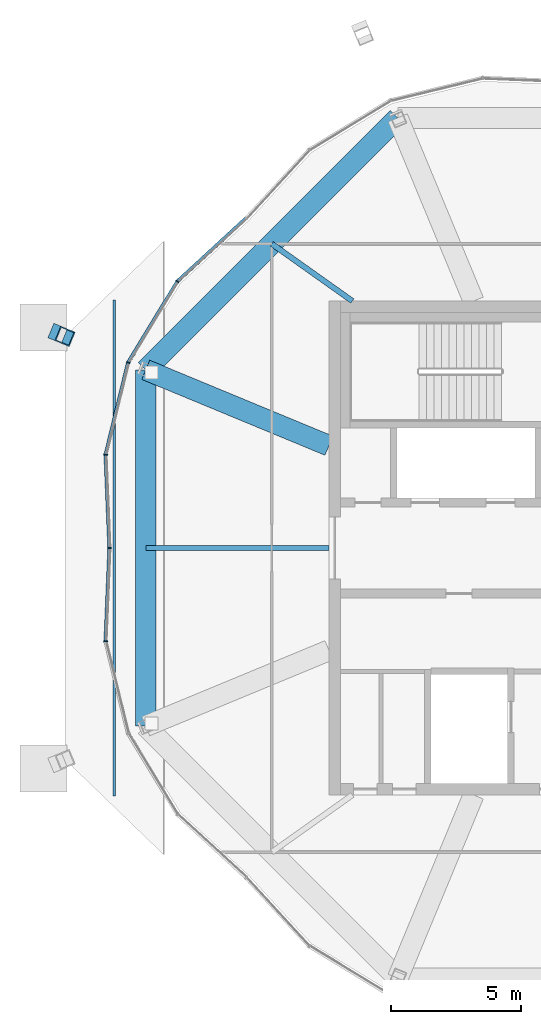
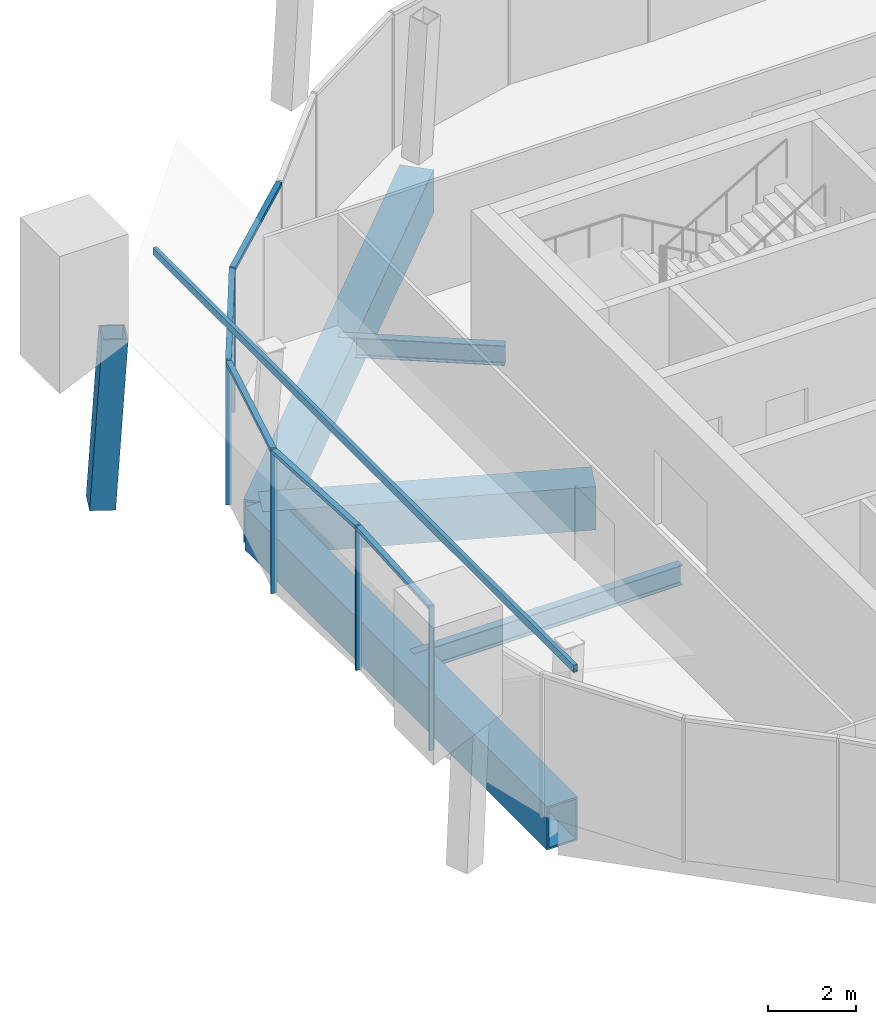
# One storey, part 4 of 22: 12 members, 5 beams, 2 elements without a shape of their own.
"""IFC4 building model written with IfcOpenShell, lengths in metres."""

from ifc_helpers import new_model, si_unit, direction, frame, origin, origin_2d, place, context, subcontext, project, spatial, rectangle, hollow_rectangle, i_section, extrude, material, material_profile, profile_set, type_object, element, aggregate, save


model = new_model("IFC4")

# Units and contexts
model_context = context("Model", 3, precision=1e-05, world=origin(), true_north=direction((0.0, 1.0)))
body_context = subcontext(model_context, "Body", "Model", "MODEL_VIEW")
ifc_project = project(units=[si_unit("LENGTHUNIT", "METRE"), si_unit("AREAUNIT", "SQUARE_METRE"), si_unit("VOLUMEUNIT", "CUBIC_METRE"), si_unit("PLANEANGLEUNIT", "RADIAN"), si_unit("MASSUNIT", "GRAM", prefix="KILO")], contexts=[model_context])

# Site, building, storey
site_placement = place(None, origin())
site = spatial("IfcSite", under=ifc_project, at=site_placement, CompositionType="ELEMENT")
building_placement = place(site_placement, origin())
building = spatial("IfcBuilding", under=site, at=building_placement, Name="Ogive Gate Towers", CompositionType="ELEMENT")
storey_placement = place(building_placement, frame((0.0, 0.0, 298.0)))
storey = spatial("IfcBuildingStorey", under=building, at=storey_placement, Name="L70", CompositionType="ELEMENT", Elevation=298.0)

# Curtain wall, members
ifc_material_1 = material(Name="Pale metal aluminium", Category="aluminium")
curtain_wall_type = type_object("IfcCurtainWallType", Name="Crown lean wall", PredefinedType="NOTDEFINED", material=ifc_material_1)
curtain_wall_1_placement = place(storey_placement, origin())
curtain_wall_1 = element("IfcCurtainWall", 1, at=curtain_wall_1_placement, inside=storey, type_object=curtain_wall_type, Name="CW5 T1 ECW04", PredefinedType="NOTDEFINED")
ifc_material_profile_1 = material_profile(ifc_material_1, rectangle(XDim=0.139892578125, YDim=0.050048828125, at=origin_2d()), Name="50 x 140 aluminium box")
ifc_profile_set_1 = profile_set([ifc_material_profile_1], Name="Pale metal aluminium")
member_type_1 = type_object("IfcMemberType", Name="Crown lean wall mullion 50 x 140", PredefinedType="MULLION", material=ifc_profile_set_1)
member_1_placement = place(storey_placement, frame((-53.940185546875, -0.001220703125, -0.300048828125), z_axis=(0.0, 0.0, 1.0), x_axis=(0.99914100669, 0.041439700181, 0.0)))
member_1 = element("IfcMember", 2, at=member_1_placement, type_object=member_type_1, Name="CW5 mullion", PredefinedType="MULLION", context=body_context, shape_type="SweptSolid", body=[
    extrude(rectangle(XDim=0.139892578125, YDim=0.050048828125, at=origin_2d()), origin(), (0.0, 0.0, 1.0), 4.0),
])
member_2_placement = place(storey_placement, frame((-54.088623046875, 3.585205078125, -0.300048828125), z_axis=(0.0, 0.0, 1.0), x_axis=(0.995103987926, -0.098833462017, 0.0)))
member_2 = element("IfcMember", 3, at=member_2_placement, type_object=member_type_1, Name="CW5 mullion", PredefinedType="MULLION", context=body_context, shape_type="SweptSolid", body=[
    extrude(rectangle(XDim=0.139892578125, YDim=0.050048828125, at=origin_2d()), origin(), (0.0, 0.0, 1.0), 4.0),
])
member_3_placement = place(storey_placement, frame((-53.22216796875, 7.1337890625, -0.300048828125), z_axis=(0.0, 0.0, 1.0), x_axis=(0.923879532511, -0.382683432365, 0.0)))
member_3 = element("IfcMember", 4, at=member_3_placement, type_object=member_type_1, Name="CW5 mullion", PredefinedType="MULLION", context=body_context, shape_type="SweptSolid", body=[
    extrude(rectangle(XDim=0.139892578125, YDim=0.050048828125, at=origin_2d()), origin(), (0.0, 0.0, 1.0), 4.0),
])
member_4_placement = place(storey_placement, frame((-51.325439453125, 10.255615234375, -0.300048828125), z_axis=(0.0, 0.0, 1.0), x_axis=(0.77351952775, -0.633772467207, 0.0)))
member_4 = element("IfcMember", 5, at=member_4_placement, type_object=member_type_1, Name="CW5 mullion", PredefinedType="MULLION", context=body_context, shape_type="SweptSolid", body=[
    extrude(rectangle(XDim=0.139892578125, YDim=0.050048828125, at=origin_2d()), origin(), (0.0, 0.0, 1.0), 4.0),
])

# Curtain wall, member
curtain_wall_2_placement = place(storey_placement, origin())
curtain_wall_2 = element("IfcCurtainWall", 6, at=curtain_wall_2_placement, inside=storey, type_object=curtain_wall_type, Name="CW5 T1 ECW05", PredefinedType="NOTDEFINED")
member_5_placement = place(storey_placement, frame((-54.088623046875, -3.585205078125, -0.300048828125), z_axis=(0.0, 0.0, 1.0), x_axis=(0.995103987926, 0.098833462017, 0.0)))
member_5 = element("IfcMember", 7, at=member_5_placement, type_object=member_type_1, Name="CW5 mullion", PredefinedType="MULLION", context=body_context, shape_type="SweptSolid", body=[
    extrude(rectangle(XDim=0.139892578125, YDim=0.050048828125, at=origin_2d()), origin(), (0.0, 0.0, 1.0), 4.0),
])

# Member
ifc_material_profile_2 = material_profile(ifc_material_1, rectangle(XDim=0.139892578125, YDim=0.10009765625, at=origin_2d()), Name="100 x 140 aluminium box")
ifc_profile_set_2 = profile_set([ifc_material_profile_2], Name="Pale metal aluminium")
member_type_2 = type_object("IfcMemberType", Name="Crown lean wall transom 100 x 140", PredefinedType="USERDEFINED", material=ifc_profile_set_2)
member_6_placement = place(storey_placement, frame((-53.941162109375, 0.023681640625, 3.64990234375), z_axis=(-0.041435216725, 0.999141192632, 0.0), x_axis=(-0.999141192632, -0.041435216725, 0.0)))
member_6 = element("IfcMember", 8, at=member_6_placement, type_object=member_type_2, Name="CW5 transom", ObjectType="TRANSOM", PredefinedType="USERDEFINED", context=body_context, shape_type="SweptSolid", body=[
    extrude(rectangle(XDim=0.139892578125, YDim=0.10009765625, at=origin_2d()), origin(), (0.0, 0.0, 1.0), 3.53515625),
])

member_7_placement = place(storey_placement, frame((-54.081787109375, 3.613525390625, 3.64990234375), z_axis=(0.237145397056, 0.971474168805, 0.0), x_axis=(-0.971474168805, 0.237145397056, 0.0)))
member_7 = element("IfcMember", 9, at=member_7_placement, type_object=member_type_2, Name="CW5 transom", ObjectType="TRANSOM", PredefinedType="USERDEFINED", context=body_context, shape_type="SweptSolid", body=[
    extrude(rectangle(XDim=0.139892578125, YDim=0.10009765625, at=origin_2d()), origin(), (0.0, 0.0, 1.0), 3.593994140625),
])

member_8_placement = place(storey_placement, frame((-53.207275390625, 7.1591796875, 3.64990234375), z_axis=(0.519302475553, 0.854590509475, 0.0), x_axis=(-0.854590509475, 0.519302475553, 0.0)))
member_8 = element("IfcMember", 10, at=member_8_placement, type_object=member_type_2, Name="CW5 transom", ObjectType="TRANSOM", PredefinedType="USERDEFINED", context=body_context, shape_type="SweptSolid", body=[
    extrude(rectangle(XDim=0.139892578125, YDim=0.10009765625, at=origin_2d()), origin(), (0.0, 0.0, 1.0), 3.59423828125),
])

member_9_placement = place(storey_placement, frame((-51.30419921875, 10.275390625, 3.64990234375), z_axis=(0.735814008941, 0.677183685751, 0.0), x_axis=(-0.677183685751, 0.735814008941, 0.0)))
member_9 = element("IfcMember", 11, at=member_9_placement, type_object=member_type_2, Name="CW5 transom", ObjectType="TRANSOM", PredefinedType="USERDEFINED", context=body_context, shape_type="SweptSolid", body=[
    extrude(rectangle(XDim=0.139892578125, YDim=0.10009765625, at=origin_2d()), origin(), (0.0, 0.0, 1.0), 3.535400390625),
])

aggregate(curtain_wall_1, [member_1, member_2, member_6, member_3, member_7, member_4, member_8, member_9])

member_10_placement = place(storey_placement, frame((-54.087646484375, -3.555908203125, 3.64990234375), z_axis=(0.041435216725, 0.999141192632, 0.0), x_axis=(-0.999141192632, 0.041435216725, 0.0)))
member_10 = element("IfcMember", 12, at=member_10_placement, type_object=member_type_2, Name="CW5 transom", ObjectType="TRANSOM", PredefinedType="USERDEFINED", context=body_context, shape_type="SweptSolid", body=[
    extrude(rectangle(XDim=0.139892578125, YDim=0.10009765625, at=origin_2d()), origin(), (0.0, 0.0, 1.0), 3.53515625),
])

aggregate(curtain_wall_2, [member_5, member_10])

# Members
ifc_material_2 = material(Name="Steel SM460", Category="steel")
ifc_material_profile_3 = material_profile(ifc_material_2, hollow_rectangle(XDim=0.60009765625, YDim=0.60009765625, WallThickness=0.0400390625, at=origin_2d()), Name="BX 600x600x40")
ifc_profile_set_3 = profile_set([ifc_material_profile_3], Name="Steel SM460")
member_type_3 = type_object("IfcMemberType", Name="Crown rib BX 600x600x40", PredefinedType="MEMBER", material=ifc_profile_set_3)
member_11_placement = place(storey_placement, frame((-55.919189453125, 8.250732421875, 0.0), z_axis=(0.056421001564, -0.023344836427, 0.998134103813), x_axis=(0.382326833999, 0.924027159776, 0.0)))
element("IfcMember", 13, at=member_11_placement, inside=storey, type_object=member_type_3, Name="T1/L70/STR004", PredefinedType="MEMBER", context=body_context, shape_type="SweptSolid", body=[
    extrude(hollow_rectangle(XDim=0.60009765625, YDim=0.60009765625, WallThickness=0.0400390625, at=origin_2d()), origin(), (0.0, 0.0, 1.0), 4.716552734375),
])
ifc_material_profile_4 = material_profile(ifc_material_2, hollow_rectangle(XDim=0.10009765625, YDim=0.199951171875, WallThickness=0.008056640625, at=origin_2d()), Name="RHS 200x100x8")
ifc_profile_set_4 = profile_set([ifc_material_profile_4], Name="Steel SM460")
member_type_4 = type_object("IfcMemberType", Name="Crown roof purlin RHS 200 x 100", PredefinedType="PURLIN", material=ifc_profile_set_4)
member_12_placement = place(storey_placement, frame((-53.761962890625, -9.547607421875, 5.453857421875), z_axis=(0.0, 1.0, 0.0), x_axis=(-1.0, 0.0, 0.0)))
element("IfcMember", 14, at=member_12_placement, inside=storey, type_object=member_type_4, Name="Crown roof purlin", PredefinedType="PURLIN", context=body_context, shape_type="SweptSolid", body=[
    extrude(hollow_rectangle(XDim=0.10009765625, YDim=0.199951171875, WallThickness=0.008056640625, at=origin_2d()), origin(), (0.0, 0.0, 1.0), 19.09521484375),
])

# Beams
ifc_material_profile_5 = material_profile(ifc_material_2, hollow_rectangle(XDim=0.800048828125, YDim=1.199951171875, WallThickness=0.050048828125, at=origin_2d()), Name="BX 1200x800x50")
ifc_profile_set_5 = profile_set([ifc_material_profile_5], Name="Steel SM460")
beam_type_1 = type_object("IfcBeamType", Name="Edge girder BX 1200x800x50", PredefinedType="BEAM", material=ifc_profile_set_5)
beam_1_placement = place(storey_placement, frame((-42.853759765625, 16.546630859375, -0.89990234375), z_axis=(-0.707106781187, -0.707106781187, 0.0), x_axis=(0.707106781187, -0.707106781187, 0.0)))
element("IfcBeam", 15, at=beam_1_placement, inside=storey, type_object=beam_type_1, Name="T1/L70/SBM023", PredefinedType="BEAM", context=body_context, shape_type="SweptSolid", body=[
    extrude(hollow_rectangle(XDim=0.800048828125, YDim=1.199951171875, WallThickness=0.050048828125, at=origin_2d()), origin(), (0.0, 0.0, 1.0), 13.707763671875),
])
beam_2_placement = place(storey_placement, frame((-52.546630859375, 6.853759765625, -0.89990234375), z_axis=(0.0, -1.0, 0.0), x_axis=(1.0, 0.0, 0.0)))
element("IfcBeam", 16, at=beam_2_placement, inside=storey, type_object=beam_type_1, Name="T1/L70/SBM024", PredefinedType="BEAM", context=body_context, shape_type="SweptSolid", body=[
    extrude(hollow_rectangle(XDim=0.800048828125, YDim=1.199951171875, WallThickness=0.050048828125, at=origin_2d()), origin(), (0.0, 0.0, 1.0), 13.70751953125),
])
ifc_material_3 = material(Name="Steel SM355", Category="steel")
ifc_material_profile_6 = material_profile(ifc_material_3, i_section(OverallWidth=0.2099609375, OverallDepth=0.550048828125, WebThickness=0.010986328125, FlangeThickness=0.01708984375, FilletRadius=0.02392578125, at=origin_2d()), Name="IPE 550")
ifc_profile_set_6 = profile_set([ifc_material_profile_6], Name="Steel SM355")
beam_type_2 = type_object("IfcBeamType", Name="Radial floor beam IPE 550", PredefinedType="BEAM", material=ifc_profile_set_6)
beam_3_placement = place(storey_placement, frame((-44.60009765625, 9.5, -0.574951171875), z_axis=(-0.815491500037, 0.578769050113, 0.0), x_axis=(-0.578769050113, -0.815491500037, 0.0)))
element("IfcBeam", 17, at=beam_3_placement, inside=storey, type_object=beam_type_2, Name="T1/L70/SBM014", PredefinedType="BEAM", context=body_context, shape_type="SweptSolid", body=[
    extrude(i_section(OverallWidth=0.2099609375, OverallDepth=0.550048828125, WebThickness=0.010986328125, FlangeThickness=0.01708984375, FilletRadius=0.02392578125, at=origin_2d()), origin(), (0.0, 0.0, 1.0), 3.801513671875),
])
beam_4_placement = place(storey_placement, frame((-45.5, 0.0, -0.574951171875), z_axis=(-1.0, 0.0, 0.0), x_axis=(0.0, -1.0, 0.0)))
element("IfcBeam", 18, at=beam_4_placement, inside=storey, type_object=beam_type_2, Name="T1/L70/SBM016", PredefinedType="BEAM", context=body_context, shape_type="SweptSolid", body=[
    extrude(i_section(OverallWidth=0.2099609375, OverallDepth=0.550048828125, WebThickness=0.010986328125, FlangeThickness=0.01708984375, FilletRadius=0.02392578125, at=origin_2d()), origin(), (0.0, 0.0, 1.0), 7.046630859375),
])
ifc_material_profile_7 = material_profile(ifc_material_2, hollow_rectangle(XDim=0.800048828125, YDim=1.199951171875, WallThickness=0.050048828125, at=origin_2d()), Name="BX 1200x800x50")
ifc_profile_set_7 = profile_set([ifc_material_profile_7], Name="Steel SM460")
beam_type_3 = type_object("IfcBeamType", Name="Transfer radial beam BX 1200x800x50", PredefinedType="BEAM", material=ifc_profile_set_7)
beam_5_placement = place(storey_placement, frame((-45.5, 3.93505859375, -0.89990234375), z_axis=(-0.923884580387, 0.382671245488, 0.0), x_axis=(-0.382671245488, -0.923884580387, 0.0)))
element("IfcBeam", 19, at=beam_5_placement, inside=storey, type_object=beam_type_3, Name="T1/L70/SBM015", PredefinedType="BEAM", context=body_context, shape_type="SweptSolid", body=[
    extrude(hollow_rectangle(XDim=0.800048828125, YDim=1.199951171875, WallThickness=0.050048828125, at=origin_2d()), origin(), (0.0, 0.0, 1.0), 7.627197265625),
])

save(model, "model.ifc")
